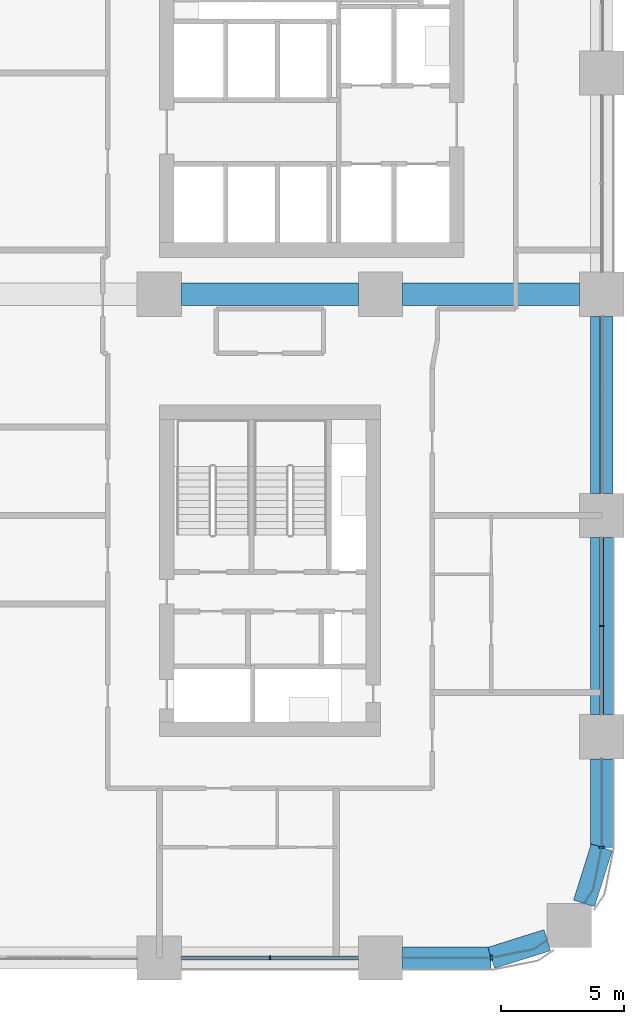
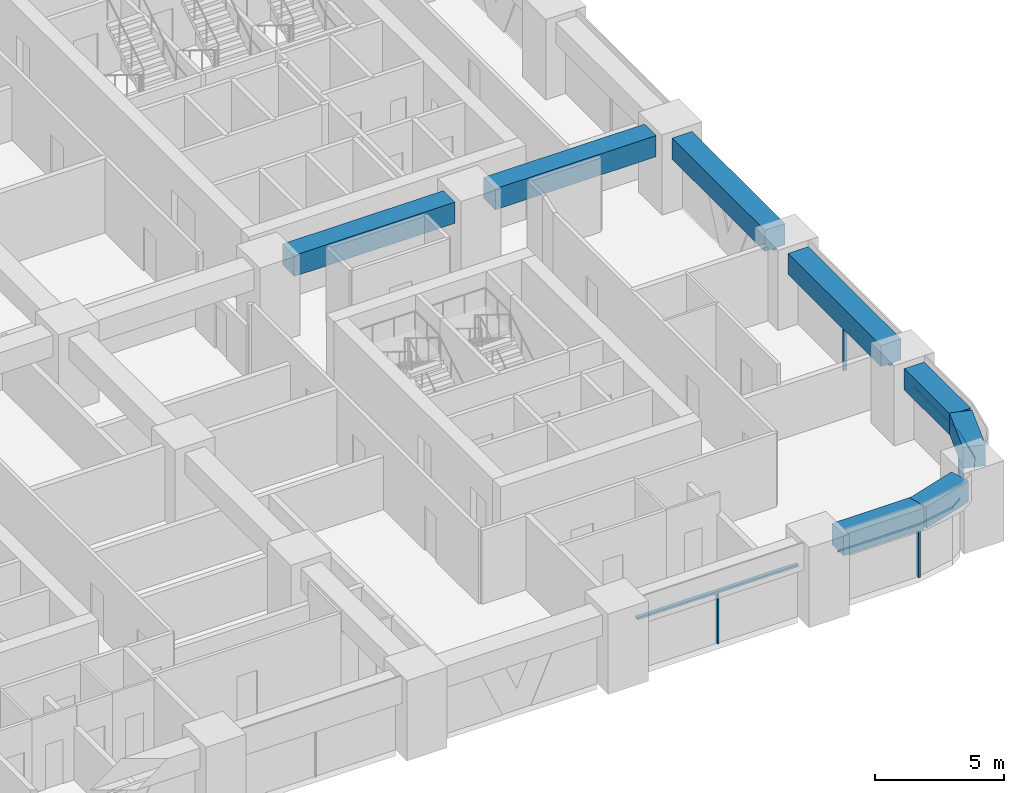
# One storey, part 6 of 21: 9 members, 8 beams, 5 elements without a shape of their own.
"""IFC4 building model written with IfcOpenShell, lengths in metres."""

from ifc_helpers import new_model, si_unit, direction, frame, origin, origin_2d, place, context, subcontext, project, spatial, polyline, rectangle, outline, extrude, material, material_profile, profile_set, type_object, element, aggregate, save


model = new_model("IFC4")

# Units and contexts
model_context = context("Model", 3, precision=1e-05, world=origin(), true_north=direction((0.0, 1.0)))
body_context = subcontext(model_context, "Body", "Model", "MODEL_VIEW")
ifc_project = project(units=[si_unit("LENGTHUNIT", "METRE"), si_unit("AREAUNIT", "SQUARE_METRE"), si_unit("VOLUMEUNIT", "CUBIC_METRE"), si_unit("PLANEANGLEUNIT", "RADIAN"), si_unit("MASSUNIT", "GRAM", prefix="KILO")], contexts=[model_context])

# Site, building, storey
site_placement = place(None, origin())
site = spatial("IfcSite", under=ifc_project, at=site_placement, CompositionType="ELEMENT")
building_placement = place(site_placement, origin())
building = spatial("IfcBuilding", under=site, at=building_placement, Name="Tessera Arch", CompositionType="ELEMENT")
storey_placement = place(building_placement, frame((0.0, 0.0, 69.0)))
storey = spatial("IfcBuildingStorey", under=building, at=storey_placement, Name="L15", CompositionType="ELEMENT", Elevation=69.0)

# Curtain wall, member
ifc_material_1 = material(Name="CW1 curtain wall")
curtain_wall_type_1 = type_object("IfcCurtainWallType", Name="CW1 curtain wall", PredefinedType="NOTDEFINED", material=ifc_material_1)
curtain_wall_1_placement = place(storey_placement, origin())
curtain_wall_1 = element("IfcCurtainWall", 1, at=curtain_wall_1_placement, inside=storey, type_object=curtain_wall_type_1, Name="CW1 curtain wall S0.0/3 L15", PredefinedType="NOTDEFINED")
ifc_material_2 = material(Name="Anodised aluminium pale metal", Category="aluminium")
ifc_material_profile_1 = material_profile(ifc_material_2, rectangle(XDim=0.159912109375, YDim=0.06005859375, at=origin_2d()), Name="AL 60x160")
ifc_profile_set_1 = profile_set([ifc_material_profile_1], Name="Anodised aluminium pale metal")
member_type_1 = type_object("IfcMemberType", Name="CW1 mullion", PredefinedType="MULLION", material=ifc_profile_set_1)
member_1_placement = place(storey_placement, frame((40.5, 0.0, 0.0), z_axis=(0.0, 0.0, 1.0), x_axis=(0.0, 1.0, 0.0)))
member_1 = element("IfcMember", 2, at=member_1_placement, type_object=member_type_1, Name="CW1 mullion S0.0/3 1", PredefinedType="MULLION", context=body_context, shape_type="SweptSolid", body=[
    extrude(rectangle(XDim=0.159912109375, YDim=0.06005859375, at=origin_2d()), origin(), (0.0, 0.0, 1.0), 2.39990234375),
])

curtain_wall_2_placement = place(storey_placement, origin())
curtain_wall_2 = element("IfcCurtainWall", 3, at=curtain_wall_2_placement, inside=storey, type_object=curtain_wall_type_1, Name="CW1 curtain wall E54.0/1 L15", PredefinedType="NOTDEFINED")
member_2_placement = place(storey_placement, frame((54.0, 13.5, 0.0), z_axis=(0.0, 0.0, 1.0), x_axis=(-1.0, 0.0, 0.0)))
member_2 = element("IfcMember", 4, at=member_2_placement, type_object=member_type_1, Name="CW1 mullion E54.0/1 1", PredefinedType="MULLION", context=body_context, shape_type="SweptSolid", body=[
    extrude(rectangle(XDim=0.159912109375, YDim=0.06005859375, at=origin_2d()), origin(), (0.0, 0.0, 1.0), 2.39990234375),
])

# Member
ifc_material_3 = material(Name="Anodised aluminium pale metal", Category="aluminium")
ifc_material_profile_2 = material_profile(ifc_material_3, rectangle(XDim=0.159912109375, YDim=0.10009765625, at=origin_2d()), Name="AL 160x100")
ifc_profile_set_2 = profile_set([ifc_material_profile_2], Name="Anodised aluminium pale metal")
member_type_2 = type_object("IfcMemberType", Name="CW1 transom", PredefinedType="USERDEFINED", material=ifc_profile_set_2)
member_3_placement = place(storey_placement, frame((36.89990234375, 0.0, 2.449951171875), z_axis=(1.0, 0.0, 0.0), x_axis=(0.0, 1.0, 0.0)))
member_3 = element("IfcMember", 5, at=member_3_placement, type_object=member_type_2, Name="CW1 transom S0.0/3 1.1", ObjectType="TRANSOM", PredefinedType="USERDEFINED", context=body_context, shape_type="SweptSolid", body=[
    extrude(rectangle(XDim=0.159912109375, YDim=0.10009765625, at=origin_2d()), origin(), (0.0, 0.0, 1.0), 7.2001953125),
])

aggregate(curtain_wall_1, [member_1, member_3])

member_4_placement = place(storey_placement, frame((54.0, 9.89990234375, 2.449951171875), z_axis=(0.0, 1.0, 0.0), x_axis=(-1.0, 0.0, 0.0)))
member_4 = element("IfcMember", 6, at=member_4_placement, type_object=member_type_2, Name="CW1 transom E54.0/1 1.1", ObjectType="TRANSOM", PredefinedType="USERDEFINED", context=body_context, shape_type="SweptSolid", body=[
    extrude(rectangle(XDim=0.159912109375, YDim=0.10009765625, at=origin_2d()), origin(), (0.0, 0.0, 1.0), 7.2001953125),
])

aggregate(curtain_wall_2, [member_2, member_4])

# Curtain wall, member
ifc_material_4 = material(Name="CW2 curtain wall")
curtain_wall_type_2 = type_object("IfcCurtainWallType", Name="CW2 curtain wall", PredefinedType="NOTDEFINED", material=ifc_material_4)
curtain_wall_3_placement = place(storey_placement, origin())
curtain_wall_3 = element("IfcCurtainWall", 7, at=curtain_wall_3_placement, inside=storey, type_object=curtain_wall_type_2, Name="CW2 curtain wall S0.0/4 L15", PredefinedType="NOTDEFINED")
ifc_material_5 = material(Name="Anodised aluminium pale metal", Category="aluminium")
ifc_material_profile_3 = material_profile(ifc_material_5, rectangle(XDim=0.199951171875, YDim=0.080078125, at=origin_2d()), Name="AL 80x200")
ifc_profile_set_3 = profile_set([ifc_material_profile_3], Name="Anodised aluminium pale metal")
member_type_3 = type_object("IfcMemberType", Name="CW2 mullion", PredefinedType="MULLION", material=ifc_profile_set_3)
member_5_placement = place(storey_placement, frame((49.5, 0.0, 0.0), z_axis=(0.0, 0.0, 1.0), x_axis=(0.0, 1.0, 0.0)))
member_5 = element("IfcMember", 8, at=member_5_placement, type_object=member_type_3, Name="CW2 mullion S0.0/4 1", PredefinedType="MULLION", context=body_context, shape_type="SweptSolid", body=[
    extrude(rectangle(XDim=0.199951171875, YDim=0.080078125, at=origin_2d()), origin(), (0.0, 0.0, 1.0), 2.39990234375),
])

curtain_wall_4_placement = place(storey_placement, origin())
curtain_wall_4 = element("IfcCurtainWall", 9, at=curtain_wall_4_placement, inside=storey, type_object=curtain_wall_type_2, Name="CW2 curtain wall E54.0/0 L15", PredefinedType="NOTDEFINED")
member_6_placement = place(storey_placement, frame((54.0, 4.5, 0.0), z_axis=(0.0, 0.0, 1.0), x_axis=(-1.0, 0.0, 0.0)))
member_6 = element("IfcMember", 10, at=member_6_placement, type_object=member_type_3, Name="CW2 mullion E54.0/0 1", PredefinedType="MULLION", context=body_context, shape_type="SweptSolid", body=[
    extrude(rectangle(XDim=0.199951171875, YDim=0.080078125, at=origin_2d()), origin(), (0.0, 0.0, 1.0), 2.39990234375),
])

# Member
ifc_material_6 = material(Name="Anodised aluminium pale metal", Category="aluminium")
ifc_material_profile_4 = material_profile(ifc_material_6, rectangle(XDim=0.199951171875, YDim=0.10009765625, at=origin_2d()), Name="AL 200x100")
ifc_profile_set_4 = profile_set([ifc_material_profile_4], Name="Anodised aluminium pale metal")
member_type_4 = type_object("IfcMemberType", Name="CW2 transom", PredefinedType="USERDEFINED", material=ifc_profile_set_4)
member_7_placement = place(storey_placement, frame((0.0, 0.0, 2.39990234375)))
member_7 = element("IfcMember", 11, at=member_7_placement, type_object=member_type_4, Name="CW2 transom S0.0/4 1", ObjectType="TRANSOM", PredefinedType="USERDEFINED", context=body_context, shape_type="SweptSolid", body=[
    extrude(outline(polyline([(49.4990234375, 0.010009765625), (45.89990234375, 0.010009765625), (45.89990234375, -0.010009765625), (49.5009765625, -0.010009765625), (51.22607421875, 0.3330078125), (51.78759765625, 0.70849609375), (51.7763671875, 0.72509765625), (51.21826171875, 0.351806640625), (49.4990234375, 0.010009765625)])), origin(), (0.0, 0.0, 1.0), 0.10009765625),
])

aggregate(curtain_wall_3, [member_5, member_7])

member_8_placement = place(storey_placement, frame((0.0, 0.0, 2.39990234375)))
member_8 = element("IfcMember", 12, at=member_8_placement, type_object=member_type_4, Name="CW2 transom E54.0/0 1", ObjectType="TRANSOM", PredefinedType="USERDEFINED", context=body_context, shape_type="SweptSolid", body=[
    extrude(outline(polyline([(53.648193359375, 2.78173828125), (53.27490234375, 2.2236328125), (53.29150390625, 2.21240234375), (53.6669921875, 2.77392578125), (54.010009765625, 4.4990234375), (54.010009765625, 8.10009765625), (53.989990234375, 8.10009765625), (53.989990234375, 4.5009765625), (53.648193359375, 2.78173828125)])), origin(), (0.0, 0.0, 1.0), 0.10009765625),
])

aggregate(curtain_wall_4, [member_6, member_8])

# Curtain wall, member
ifc_material_7 = material(Name="CW3 curtain wall")
curtain_wall_type_3 = type_object("IfcCurtainWallType", Name="CW3 curtain wall", PredefinedType="NOTDEFINED", material=ifc_material_7)
curtain_wall_5_placement = place(storey_placement, origin())
curtain_wall_5 = element("IfcCurtainWall", 13, at=curtain_wall_5_placement, inside=storey, type_object=curtain_wall_type_3, Name="CW3 curtain wall E54.0/2 L15", PredefinedType="NOTDEFINED")
ifc_material_8 = material(Name="Anodised aluminium pale metal", Category="aluminium")
ifc_material_profile_5 = material_profile(ifc_material_8, rectangle(XDim=0.139892578125, YDim=0.10009765625, at=origin_2d()), Name="AL 140x100")
ifc_profile_set_5 = profile_set([ifc_material_profile_5], Name="Anodised aluminium pale metal")
member_type_5 = type_object("IfcMemberType", Name="CW3 transom", PredefinedType="USERDEFINED", material=ifc_profile_set_5)
member_9_placement = place(storey_placement, frame((54.0, 18.89990234375, 2.449951171875), z_axis=(0.0, 1.0, 0.0), x_axis=(-1.0, 0.0, 0.0)))
member_9 = element("IfcMember", 14, at=member_9_placement, type_object=member_type_5, Name="CW3 transom E54.0/2 1.1", ObjectType="TRANSOM", PredefinedType="USERDEFINED", context=body_context, shape_type="SweptSolid", body=[
    extrude(rectangle(XDim=0.139892578125, YDim=0.10009765625, at=origin_2d()), origin(), (0.0, 0.0, 1.0), 7.2001953125),
])
aggregate(curtain_wall_5, [member_9])

# Beams
ifc_material_9 = material(Name="Concrete C80/95", Category="concrete")
ifc_material_profile_6 = material_profile(ifc_material_9, rectangle(XDim=0.89990234375, YDim=1.0, at=origin_2d()), Name="RC spandrel beam 900 x 1000 Concrete C80/95")
ifc_profile_set_6 = profile_set([ifc_material_profile_6], Name="Concrete C80/95")
beam_type = type_object("IfcBeamType", Name="RC spandrel beam 900 x 1000 Concrete C80/95", PredefinedType="BEAM", material=ifc_profile_set_6)
beam_1_placement = place(storey_placement, frame((45.89990234375, 0.0, 3.0), z_axis=(1.0, 0.0, 0.0), x_axis=(0.0, 1.0, 0.0)))
element("IfcBeam", 15, at=beam_1_placement, inside=storey, type_object=beam_type, Name="Spandrel beam L15 S0.0/4.1", PredefinedType="BEAM", context=body_context, shape_type="SweptSolid", body=[
    extrude(rectangle(XDim=0.89990234375, YDim=1.0, at=origin_2d()), origin(), (0.0, 0.0, 1.0), 3.60009765625),
])
for number, where, z_axis, x_axis, name in (
    (16, (49.5, 0.0, 3.0), (0.954041251279, 0.299675309057, 0.0), (-0.299675309057, 0.954041251279, 0.0), "Spandrel beam L15 S0.0/4.2"),
    (17, (53.283203125, 2.218017578125, 3.0), (0.299675309057, 0.954041251279, 0.0), (-0.954041251279, 0.299675309057, 0.0), "Spandrel beam L15 E54.0/0.1"),
):
    element("IfcBeam", number, at=place(storey_placement, frame(where, z_axis=z_axis, x_axis=x_axis)), inside=storey, type_object=beam_type, Name=name, PredefinedType="BEAM", context=body_context, shape_type="SweptSolid", body=[
        extrude(rectangle(XDim=0.89990234375, YDim=1.0, at=origin_2d()), origin(), (0.0, 0.0, 1.0), 2.391845703125),
    ])
beam_2_placement = place(storey_placement, frame((54.0, 4.5, 3.0), z_axis=(0.0, 1.0, 0.0), x_axis=(-1.0, 0.0, 0.0)))
element("IfcBeam", 18, at=beam_2_placement, inside=storey, type_object=beam_type, Name="Spandrel beam L15 E54.0/0.2", PredefinedType="BEAM", context=body_context, shape_type="SweptSolid", body=[
    extrude(rectangle(XDim=0.89990234375, YDim=1.0, at=origin_2d()), origin(), (0.0, 0.0, 1.0), 3.60009765625),
])
for number, where, z_axis, x_axis, name in (
    (19, (54.0, 9.89990234375, 3.0), (0.0, 1.0, 0.0), (-1.0, 0.0, 0.0), "Spandrel beam L15 E54.0/1"),
    (20, (54.0, 18.89990234375, 3.0), (0.0, 1.0, 0.0), (-1.0, 0.0, 0.0), "Spandrel beam L15 E54.0/2"),
    (21, (36.89990234375, 27.0, 3.0), (1.0, 0.0, 0.0), (0.0, 1.0, 0.0), "Interface beam L15 I1C5D-C6D"),
    (22, (45.89990234375, 27.0, 3.0), (1.0, 0.0, 0.0), (0.0, 1.0, 0.0), "Interface beam L15 I1C6D-C7D"),
):
    element("IfcBeam", number, at=place(storey_placement, frame(where, z_axis=z_axis, x_axis=x_axis)), inside=storey, type_object=beam_type, Name=name, PredefinedType="BEAM", context=body_context, shape_type="SweptSolid", body=[
        extrude(rectangle(XDim=0.89990234375, YDim=1.0, at=origin_2d()), origin(), (0.0, 0.0, 1.0), 7.2001953125),
    ])

save(model, "model.ifc")
